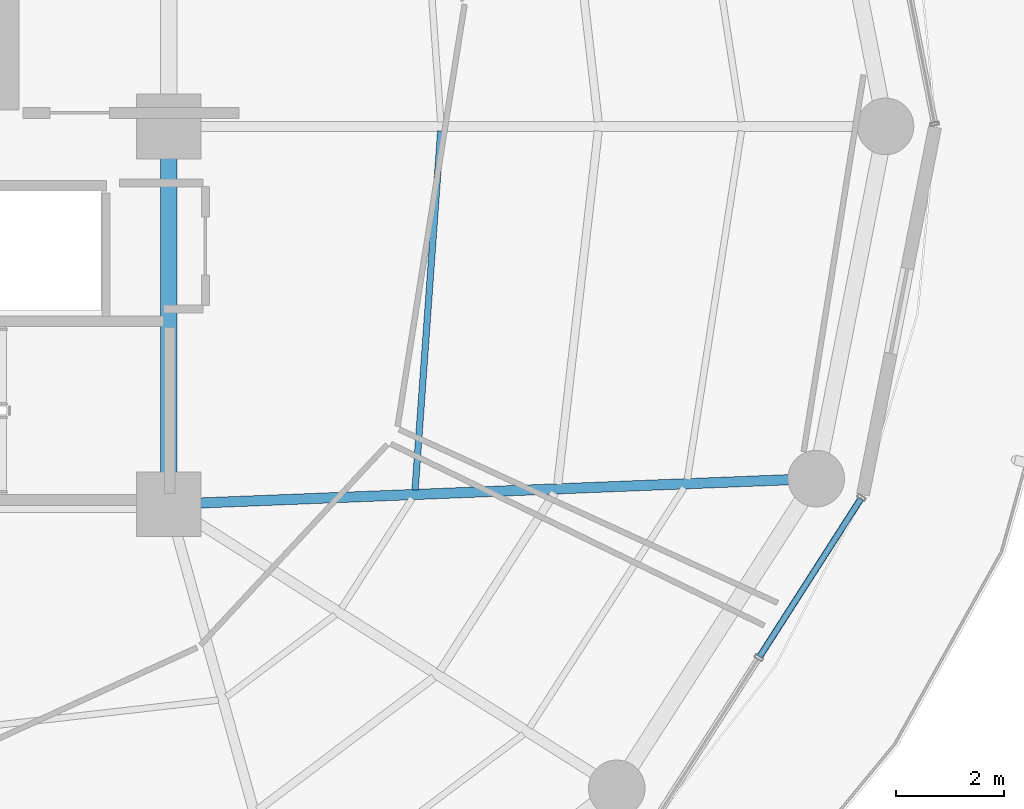
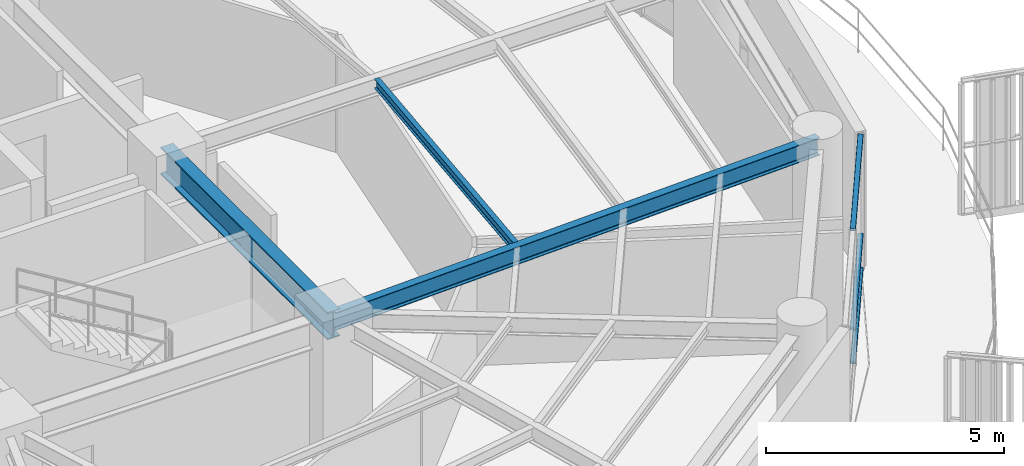
# One storey, part 12 of 30: 3 beams, 3 members, 1 element without a shape of its own.
"""IFC4 building model written with IfcOpenShell, lengths in metres."""

import ifcopenshell
import ifcopenshell.guid

model = None  # the IFC model being written
_history = None  # IfcOwnerHistory: only IFC2X3 demands one
_inside = {}  # id of a spatial element -> (the spatial element, [elements in it])
_under = {}  # id of a project, library or spatial element -> (it, [spatial elements below it])
_declared = {}  # id of a project -> (the project, [libraries it declares])
_typed = {}  # id of a type object -> (the type object, [elements of that type])
_made_of = {}  # id of a material, layer set ... -> (it, [elements and type objects made of it])


def new_model(schema):
    """Start an empty IFC model of exactly this schema.

    Asked for "IFC4X3", IfcOpenShell would pick the latest addendum, in which some entities
    have other attributes; the version numbers below select the first issue.
    IFC2X3 requires an IfcOwnerHistory on every rooted entity: one is made here for all.
    """
    global model, _history
    if schema == "IFC4X3":
        model = ifcopenshell.file(schema_version=(4, 3, 0, 0))
    else:
        model = ifcopenshell.file(schema=schema)
    _inside.clear()
    _under.clear()
    _declared.clear()
    _typed.clear()
    _made_of.clear()
    _history = None
    if model.schema == "IFC2X3":
        org = make("IfcOrganization", Name="unknown")
        user = make(
            "IfcPersonAndOrganization",
            ThePerson=make("IfcPerson", FamilyName="unknown"),
            TheOrganization=org,
        )
        app = make(
            "IfcApplication",
            ApplicationDeveloper=org,
            Version="unknown",
            ApplicationFullName="unknown",
            ApplicationIdentifier="unknown",
        )
        _history = make(
            "IfcOwnerHistory",
            OwningUser=user,
            OwningApplication=app,
            ChangeAction="ADDED",
            CreationDate=0,
        )
    return model


def make(cls, **values):
    """One entity of the class cls with the attributes given. An attribute that is None is left unset."""
    return model.create_entity(
        cls, **{name: value for name, value in values.items() if value is not None}
    )


def rooted(cls, **values):
    """An entity with a GlobalId (a new one), such as an element, a storey or a relation."""
    return make(cls, GlobalId=ifcopenshell.guid.new(), OwnerHistory=_history, **values)


def si_unit(unit_type, name, prefix=None):
    """IfcSIUnit, for example si_unit("LENGTHUNIT", "METRE", prefix="MILLI")."""
    return make("IfcSIUnit", UnitType=unit_type, Prefix=prefix, Name=name)


def assignment(units):
    """IfcUnitAssignment: the units of a project."""
    return None if units is None else make("IfcUnitAssignment", Units=units)


def point(xyz):
    """IfcCartesianPoint."""
    return None if xyz is None else make("IfcCartesianPoint", Coordinates=xyz)


def direction(xyz):
    """IfcDirection."""
    return None if xyz is None else make("IfcDirection", DirectionRatios=xyz)


def frame(location, z_axis=None, x_axis=None):
    """IfcAxis2Placement3D, a coordinate frame: its origin and axes. An axis left out is left unset."""
    return make(
        "IfcAxis2Placement3D",
        Location=point(location),
        Axis=direction(z_axis),
        RefDirection=direction(x_axis),
    )


def frame_2d(location, x_axis=None):
    """IfcAxis2Placement2D, a coordinate frame in the plane: its origin and x axis."""
    return make(
        "IfcAxis2Placement2D", Location=point(location), RefDirection=direction(x_axis)
    )


def origin():
    """The frame at (0, 0, 0) with its axes left unset."""
    return frame((0.0, 0.0, 0.0))


def origin_2d():
    """The frame at (0, 0) in the plane with its x axis left unset."""
    return frame_2d((0.0, 0.0))


def place(relative_to, where):
    """IfcLocalPlacement: puts the frame where relative to a parent placement (None: the world)."""
    return make(
        "IfcLocalPlacement", PlacementRelTo=relative_to, RelativePlacement=where
    )


def context(
    kind, dimensions, precision=None, world=None, true_north=None, identifier=None
):
    """IfcGeometricRepresentationContext, for example the 3D "Model" context."""
    return make(
        "IfcGeometricRepresentationContext",
        ContextIdentifier=identifier,
        ContextType=kind,
        CoordinateSpaceDimension=dimensions,
        Precision=precision,
        WorldCoordinateSystem=world,
        TrueNorth=true_north,
    )


def subcontext(parent, identifier, kind, view, scale=None):
    """IfcGeometricRepresentationSubContext, for example "Body" below "Model"."""
    return make(
        "IfcGeometricRepresentationSubContext",
        ContextIdentifier=identifier,
        ContextType=kind,
        ParentContext=parent,
        TargetScale=scale,
        TargetView=view,
    )


def project(units=None, contexts=None):
    """IfcProject with its units and contexts."""
    return rooted(
        "IfcProject",
        Name="project",
        RepresentationContexts=contexts,
        UnitsInContext=assignment(units),
    )


def spatial(cls, under=None, at=None, **own):
    """A site, building, storey or space (cls), placed at a placement, below another one or the project."""
    s = rooted(cls, ObjectPlacement=at, **own)
    if under is not None:
        _under.setdefault(under.id(), (under, []))[1].append(s)
    return s


def profile(cls, at=None, kind="AREA", **sizes):
    """A parametric profile (cls). Its sizes go by their IFC names, for example OverallWidth=200.0."""
    return make(cls, ProfileType=kind, Position=at, **sizes)


def hollow_rectangle(**sizes):
    """IfcRectangleHollowProfileDef."""
    return profile("IfcRectangleHollowProfileDef", **sizes)


def i_section(**sizes):
    """IfcIShapeProfileDef."""
    return profile("IfcIShapeProfileDef", **sizes)


def extrude(swept, where, along, depth):
    """IfcExtrudedAreaSolid: the profile swept, set in the frame where, extruded along a direction by depth."""
    return make(
        "IfcExtrudedAreaSolid",
        SweptArea=swept,
        Position=where,
        ExtrudedDirection=direction(along),
        Depth=depth,
    )


def shape(context_of_items, identifier, shape_type, items):
    """IfcShapeRepresentation: the items that make up one representation, for example the "Body"."""
    return make(
        "IfcShapeRepresentation",
        ContextOfItems=context_of_items,
        RepresentationIdentifier=identifier,
        RepresentationType=shape_type,
        Items=items,
    )


def material(Name=None, Category=None):
    """IfcMaterial."""
    return make("IfcMaterial", Name=Name, Category=Category)


def layer(
    of_material, thickness, ventilated=None, Name=None, Category=None, Priority=None
):
    """IfcMaterialLayer: one layer of a wall or slab, of a material (None: an air gap)."""
    return make(
        "IfcMaterialLayer",
        Material=of_material,
        LayerThickness=thickness,
        IsVentilated=ventilated,
        Name=Name,
        Category=Category,
        Priority=Priority,
    )


def layer_set(layers, Name=None):
    """IfcMaterialLayerSet."""
    return make("IfcMaterialLayerSet", MaterialLayers=layers, LayerSetName=Name)


def material_profile(
    of_material, cross_section, Name=None, Category=None, Priority=None
):
    """IfcMaterialProfile: a cross section and its material."""
    return make(
        "IfcMaterialProfile",
        Name=Name,
        Material=of_material,
        Profile=cross_section,
        Priority=Priority,
        Category=Category,
    )


def profile_set(profiles, Name=None, composite=None):
    """IfcMaterialProfileSet."""
    return make(
        "IfcMaterialProfileSet",
        Name=Name,
        MaterialProfiles=profiles,
        CompositeProfile=composite,
    )


def made_of(thing, what):
    """Note that an element or type object is made of a material, layer set ...; save() writes the relation."""
    if what is not None:
        _made_of.setdefault(what.id(), (what, []))[1].append(thing)
    return thing


def type_object(cls, material=None, **own):
    """A type object (cls), such as IfcWallType, which elements share."""
    return made_of(rooted(cls, **own), material)


def element(
    cls,
    number,
    at=None,
    inside=None,
    cuts=None,
    type_object=None,
    material=None,
    context=None,
    identifier="Body",
    shape_type=None,
    held_by="IfcProductDefinitionShape",
    body=None,
    shapes=None,
    **own,
):
    """One element of the class cls, such as IfcWall. Its Tag is "e" and its number.

    at: its placement. inside: the storey or other place that contains it. cuts: it is an
    opening in that element (IfcRelVoidsElement). A single representation is given by context,
    identifier, shape_type and body (its items); several are given by shapes. held_by: the class
    of the entity that holds the representations. save() writes the other relations.
    """
    e = rooted(cls, Tag="e%d" % number, ObjectPlacement=at, **own)
    if body is not None:
        shapes = [shape(context, identifier, shape_type, body)]
    if shapes is not None:
        e.Representation = make(held_by, Representations=shapes)
    if inside is not None:
        _inside.setdefault(inside.id(), (inside, []))[1].append(e)
    if cuts is not None:
        rooted(
            "IfcRelVoidsElement", RelatingBuildingElement=cuts, RelatedOpeningElement=e
        )
    if type_object is not None:
        _typed.setdefault(type_object.id(), (type_object, []))[1].append(e)
    return made_of(e, material)


def aggregate(whole, parts):
    """IfcRelAggregates: a whole, such as a stair, and the parts it consists of."""
    return rooted("IfcRelAggregates", RelatingObject=whole, RelatedObjects=parts)


def save(model, path):
    """Write the relations noted so far, then the file.

    IfcRelAggregates (storeys below a building ...), IfcRelContainedInSpatialStructure (elements
    in a storey), IfcRelDefinesByType, IfcRelAssociatesMaterial and IfcRelDeclares: one each for
    every whole, place, type object, material and project.
    """
    for whole, parts in _under.values():
        aggregate(whole, parts)
    for where, things in _inside.values():
        rooted(
            "IfcRelContainedInSpatialStructure",
            RelatedElements=things,
            RelatingStructure=where,
        )
    for kind, things in _typed.values():
        rooted("IfcRelDefinesByType", RelatedObjects=things, RelatingType=kind)
    for what, things in _made_of.values():
        rooted("IfcRelAssociatesMaterial", RelatedObjects=things, RelatingMaterial=what)
    for by, libraries in _declared.values():
        rooted("IfcRelDeclares", RelatingContext=by, RelatedDefinitions=libraries)
    model.write(path)


model = new_model("IFC4")

# Units and contexts
model_context = context("Model", 3, precision=1e-05, world=origin(), true_north=direction((0.0, 1.0)))
body_context = subcontext(model_context, "Body", "Model", "MODEL_VIEW")
ifc_project = project(units=[si_unit("LENGTHUNIT", "METRE"), si_unit("AREAUNIT", "SQUARE_METRE"), si_unit("VOLUMEUNIT", "CUBIC_METRE"), si_unit("PLANEANGLEUNIT", "RADIAN"), si_unit("MASSUNIT", "GRAM", prefix="KILO")], contexts=[model_context])

# Site, building, storey
site_placement = place(None, origin())
site = spatial("IfcSite", under=ifc_project, at=site_placement, CompositionType="ELEMENT")
building_placement = place(site_placement, origin())
building = spatial("IfcBuilding", under=site, at=building_placement, Name="Kelanora Arch Commons", CompositionType="ELEMENT")
storey_placement = place(building_placement, frame((0.0, 0.0, 208.199951171875)))
storey = spatial("IfcBuildingStorey", under=building, at=storey_placement, Name="L53", CompositionType="ELEMENT", Elevation=208.199951171875)

# Beams
ifc_material_1 = material(Name="Steel S355", Category="steel")
ifc_material_profile_1 = material_profile(ifc_material_1, i_section(OverallWidth=0.300048828125, OverallDepth=0.699951171875, WebThickness=0.01708984375, FlangeThickness=0.031982421875, FilletRadius=0.027099609375, at=origin_2d()), Name="HEB700")
ifc_profile_set_1 = profile_set([ifc_material_profile_1], Name="Steel S355")
beam_type_1 = type_object("IfcBeamType", Name="BM-CORE-HDR", PredefinedType="BEAM", material=ifc_profile_set_1)
beam_1_placement = place(storey_placement, frame((82.0, 51.0, 3.14013671875), z_axis=(0.0, 1.0, 0.0), x_axis=(-1.0, 0.0, 0.0)))
element("IfcBeam", 1, at=beam_1_placement, inside=storey, type_object=beam_type_1, Name="Core Header Beam 03 L53", PredefinedType="BEAM", context=body_context, shape_type="SweptSolid", body=[
    extrude(i_section(OverallWidth=0.300048828125, OverallDepth=0.699951171875, WebThickness=0.01708984375, FlangeThickness=0.031982421875, FilletRadius=0.027099609375, at=origin_2d()), origin(), (0.0, 0.0, 1.0), 7.0),
])
ifc_material_profile_2 = material_profile(ifc_material_1, i_section(OverallWidth=0.1201171875, OverallDepth=0.239990234375, WebThickness=0.006103515625, FlangeThickness=0.009765625, FilletRadius=0.014892578125, at=origin_2d()), Name="IPE240")
ifc_profile_set_2 = profile_set([ifc_material_profile_2], Name="Steel S355")
beam_type_2 = type_object("IfcBeamType", Name="BM-JST-02", PredefinedType="JOIST", material=ifc_profile_set_2)
beam_2_placement = place(storey_placement, frame((86.564697265625, 51.264892578125, 3.3701171875), z_axis=(0.07133032136, 0.997452748382, 0.0), x_axis=(-0.997452748382, 0.07133032136, 0.0)))
element("IfcBeam", 2, at=beam_2_placement, inside=storey, type_object=beam_type_2, Name="Secondary Chord Joist BJA-34 L53", PredefinedType="JOIST", context=body_context, shape_type="SweptSolid", body=[
    extrude(i_section(OverallWidth=0.1201171875, OverallDepth=0.239990234375, WebThickness=0.006103515625, FlangeThickness=0.009765625, FilletRadius=0.014892578125, at=origin_2d()), origin(), (0.0, 0.0, 1.0), 6.66748046875),
])
ifc_material_profile_3 = material_profile(ifc_material_1, i_section(OverallWidth=0.18994140625, OverallDepth=0.449951171875, WebThickness=0.009521484375, FlangeThickness=0.0146484375, FilletRadius=0.02099609375, at=origin_2d()), Name="IPE450")
ifc_profile_set_3 = profile_set([ifc_material_profile_3], Name="Steel S355")
beam_type_3 = type_object("IfcBeamType", Name="BM-RAD-Z4", PredefinedType="BEAM", material=ifc_profile_set_3)
beam_3_placement = place(storey_placement, frame((82.0, 51.0, 3.26513671875), z_axis=(0.999219142585, 0.03951082246, 0.0), x_axis=(-0.03951082246, 0.999219142585, 0.0)))
element("IfcBeam", 3, at=beam_3_placement, inside=storey, type_object=beam_type_3, Name="Radial Floor Girder BR-34 L53", PredefinedType="BEAM", context=body_context, shape_type="SweptSolid", body=[
    extrude(i_section(OverallWidth=0.18994140625, OverallDepth=0.449951171875, WebThickness=0.009521484375, FlangeThickness=0.0146484375, FilletRadius=0.02099609375, at=origin_2d()), origin(), (0.0, 0.0, 1.0), 12.005859375),
])

# Curtain wall, members
ifc_material_2 = material(Name="Terracotta ceramic-fritted low-E glass and aluminium", Category="masonry")
ifc_layer = layer(ifc_material_2, 0.175048828125)
ifc_layer_set = layer_set([ifc_layer], Name="Terracotta ceramic-fritted low-E glass and aluminium")
curtain_wall_type = type_object("IfcCurtainWallType", Name="CW-SYS-02", PredefinedType="NOTDEFINED", material=ifc_layer_set)
curtain_wall_placement = place(storey_placement, origin())
curtain_wall = element("IfcCurtainWall", 4, at=curtain_wall_placement, inside=storey, type_object=curtain_wall_type, Name="Unitised Curtain Wall L53-B16", PredefinedType="NOTDEFINED")
ifc_material_3 = material(Name="Powder-coated aluminium terracotta", Category="masonry")
ifc_material_profile_4 = material_profile(ifc_material_3, hollow_rectangle(XDim=0.1201171875, YDim=0.06005859375, WallThickness=0.0048828125, InnerFilletRadius=0.0048828125, OuterFilletRadius=0.010009765625, at=origin_2d()), Name="CWT120x60")
ifc_profile_set_4 = profile_set([ifc_material_profile_4], Name="Powder-coated aluminium terracotta")
member_type = type_object("IfcMemberType", Name="CWT-STD", PredefinedType="USERDEFINED", material=ifc_profile_set_4)
member_1_placement = place(storey_placement, frame((92.949951171875, 48.17724609375, 0.030029296875), z_axis=(0.539579095642, 0.84193491408, 0.0), x_axis=(-0.84193491408, 0.539579095642, 0.0)))
member_1 = element("IfcMember", 5, at=member_1_placement, type_object=member_type, Name="CW-02 transom 2.1", ObjectType="TRANSOM", PredefinedType="USERDEFINED", context=body_context, shape_type="SweptSolid", body=[
    extrude(hollow_rectangle(XDim=0.1201171875, YDim=0.06005859375, WallThickness=0.0048828125, InnerFilletRadius=0.0048828125, OuterFilletRadius=0.010009765625, at=origin_2d()), origin(), (0.0, 0.0, 1.0), 3.46728515625),
])
member_2_placement = place(storey_placement, frame((92.949951171875, 48.17724609375, 0.900146484375), z_axis=(0.539579095642, 0.84193491408, 0.0), x_axis=(-0.84193491408, 0.539579095642, 0.0)))
member_2 = element("IfcMember", 6, at=member_2_placement, type_object=member_type, Name="CW-02 transom 2.2", ObjectType="TRANSOM", PredefinedType="USERDEFINED", context=body_context, shape_type="SweptSolid", body=[
    extrude(hollow_rectangle(XDim=0.1201171875, YDim=0.06005859375, WallThickness=0.0048828125, InnerFilletRadius=0.0048828125, OuterFilletRadius=0.010009765625, at=origin_2d()), origin(), (0.0, 0.0, 1.0), 3.46728515625),
])
member_3_placement = place(storey_placement, frame((92.949951171875, 48.17724609375, 3.445068359375), z_axis=(0.539579095642, 0.84193491408, 0.0), x_axis=(-0.84193491408, 0.539579095642, 0.0)))
member_3 = element("IfcMember", 7, at=member_3_placement, type_object=member_type, Name="CW-02 transom 2.3", ObjectType="TRANSOM", PredefinedType="USERDEFINED", context=body_context, shape_type="SweptSolid", body=[
    extrude(hollow_rectangle(XDim=0.1201171875, YDim=0.06005859375, WallThickness=0.0048828125, InnerFilletRadius=0.0048828125, OuterFilletRadius=0.010009765625, at=origin_2d()), origin(), (0.0, 0.0, 1.0), 3.46728515625),
])
aggregate(curtain_wall, [member_1, member_2, member_3])

save(model, "model.ifc")
